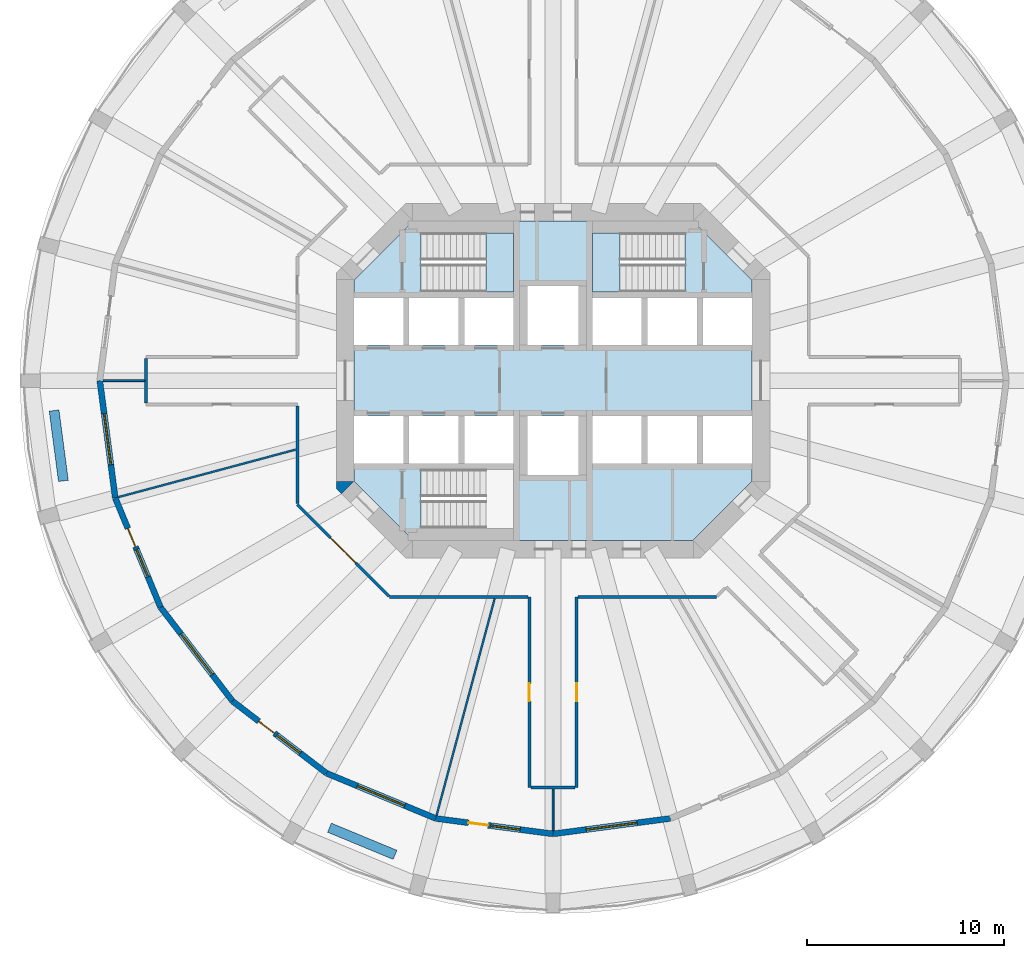
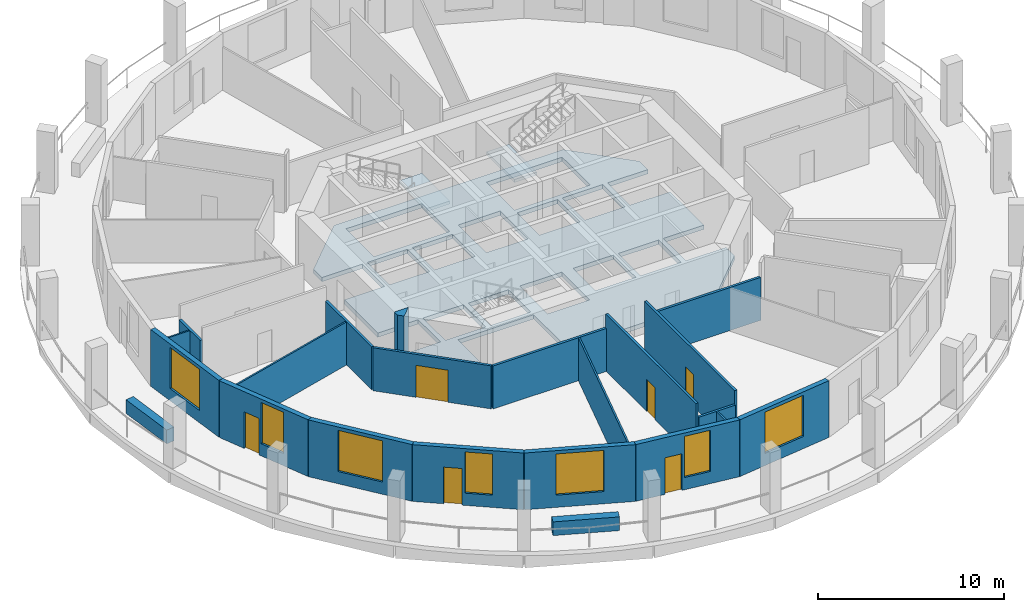
# One storey, part 2 of 9: 22 walls, 7 windows, 6 doors, 3 slabs, 13 openings, 2 elements without a shape of their own.
"""IFC4 building model written with IfcOpenShell, lengths in metres."""

import ifcopenshell
import ifcopenshell.guid

model = None  # the IFC model being written
_history = None  # IfcOwnerHistory: only IFC2X3 demands one
_inside = {}  # id of a spatial element -> (the spatial element, [elements in it])
_under = {}  # id of a project, library or spatial element -> (it, [spatial elements below it])
_declared = {}  # id of a project -> (the project, [libraries it declares])
_typed = {}  # id of a type object -> (the type object, [elements of that type])
_made_of = {}  # id of a material, layer set ... -> (it, [elements and type objects made of it])


def new_model(schema):
    """Start an empty IFC model of exactly this schema.

    Asked for "IFC4X3", IfcOpenShell would pick the latest addendum, in which some entities
    have other attributes; the version numbers below select the first issue.
    IFC2X3 requires an IfcOwnerHistory on every rooted entity: one is made here for all.
    """
    global model, _history
    if schema == "IFC4X3":
        model = ifcopenshell.file(schema_version=(4, 3, 0, 0))
    else:
        model = ifcopenshell.file(schema=schema)
    _inside.clear()
    _under.clear()
    _declared.clear()
    _typed.clear()
    _made_of.clear()
    _history = None
    if model.schema == "IFC2X3":
        org = make("IfcOrganization", Name="unknown")
        user = make(
            "IfcPersonAndOrganization",
            ThePerson=make("IfcPerson", FamilyName="unknown"),
            TheOrganization=org,
        )
        app = make(
            "IfcApplication",
            ApplicationDeveloper=org,
            Version="unknown",
            ApplicationFullName="unknown",
            ApplicationIdentifier="unknown",
        )
        _history = make(
            "IfcOwnerHistory",
            OwningUser=user,
            OwningApplication=app,
            ChangeAction="ADDED",
            CreationDate=0,
        )
    return model


def make(cls, **values):
    """One entity of the class cls with the attributes given. An attribute that is None is left unset."""
    return model.create_entity(
        cls, **{name: value for name, value in values.items() if value is not None}
    )


def rooted(cls, **values):
    """An entity with a GlobalId (a new one), such as an element, a storey or a relation."""
    return make(cls, GlobalId=ifcopenshell.guid.new(), OwnerHistory=_history, **values)


def si_unit(unit_type, name, prefix=None):
    """IfcSIUnit, for example si_unit("LENGTHUNIT", "METRE", prefix="MILLI")."""
    return make("IfcSIUnit", UnitType=unit_type, Prefix=prefix, Name=name)


def assignment(units):
    """IfcUnitAssignment: the units of a project."""
    return None if units is None else make("IfcUnitAssignment", Units=units)


def point(xyz):
    """IfcCartesianPoint."""
    return None if xyz is None else make("IfcCartesianPoint", Coordinates=xyz)


def direction(xyz):
    """IfcDirection."""
    return None if xyz is None else make("IfcDirection", DirectionRatios=xyz)


def frame(location, z_axis=None, x_axis=None):
    """IfcAxis2Placement3D, a coordinate frame: its origin and axes. An axis left out is left unset."""
    return make(
        "IfcAxis2Placement3D",
        Location=point(location),
        Axis=direction(z_axis),
        RefDirection=direction(x_axis),
    )


def frame_2d(location, x_axis=None):
    """IfcAxis2Placement2D, a coordinate frame in the plane: its origin and x axis."""
    return make(
        "IfcAxis2Placement2D", Location=point(location), RefDirection=direction(x_axis)
    )


def origin():
    """The frame at (0, 0, 0) with its axes left unset."""
    return frame((0.0, 0.0, 0.0))


def place(relative_to, where):
    """IfcLocalPlacement: puts the frame where relative to a parent placement (None: the world)."""
    return make(
        "IfcLocalPlacement", PlacementRelTo=relative_to, RelativePlacement=where
    )


def context(
    kind, dimensions, precision=None, world=None, true_north=None, identifier=None
):
    """IfcGeometricRepresentationContext, for example the 3D "Model" context."""
    return make(
        "IfcGeometricRepresentationContext",
        ContextIdentifier=identifier,
        ContextType=kind,
        CoordinateSpaceDimension=dimensions,
        Precision=precision,
        WorldCoordinateSystem=world,
        TrueNorth=true_north,
    )


def subcontext(parent, identifier, kind, view, scale=None):
    """IfcGeometricRepresentationSubContext, for example "Body" below "Model"."""
    return make(
        "IfcGeometricRepresentationSubContext",
        ContextIdentifier=identifier,
        ContextType=kind,
        ParentContext=parent,
        TargetScale=scale,
        TargetView=view,
    )


def project(units=None, contexts=None):
    """IfcProject with its units and contexts."""
    return rooted(
        "IfcProject",
        Name="project",
        RepresentationContexts=contexts,
        UnitsInContext=assignment(units),
    )


def spatial(cls, under=None, at=None, **own):
    """A site, building, storey or space (cls), placed at a placement, below another one or the project."""
    s = rooted(cls, ObjectPlacement=at, **own)
    if under is not None:
        _under.setdefault(under.id(), (under, []))[1].append(s)
    return s


def polyline(points):
    """IfcPolyline through the points."""
    return make("IfcPolyline", Points=[point(p) for p in points])


def profile(cls, at=None, kind="AREA", **sizes):
    """A parametric profile (cls). Its sizes go by their IFC names, for example OverallWidth=200.0."""
    return make(cls, ProfileType=kind, Position=at, **sizes)


def rectangle(**sizes):
    """IfcRectangleProfileDef."""
    return profile("IfcRectangleProfileDef", **sizes)


def outline(outer, holes=None, kind="AREA"):
    """IfcArbitraryClosedProfileDef: a profile drawn as a closed curve; with holes, ...WithVoids."""
    if holes is None:
        return make("IfcArbitraryClosedProfileDef", ProfileType=kind, OuterCurve=outer)
    return make(
        "IfcArbitraryProfileDefWithVoids",
        ProfileType=kind,
        OuterCurve=outer,
        InnerCurves=holes,
    )


def extrude(swept, where, along, depth):
    """IfcExtrudedAreaSolid: the profile swept, set in the frame where, extruded along a direction by depth."""
    return make(
        "IfcExtrudedAreaSolid",
        SweptArea=swept,
        Position=where,
        ExtrudedDirection=direction(along),
        Depth=depth,
    )


def shape(context_of_items, identifier, shape_type, items):
    """IfcShapeRepresentation: the items that make up one representation, for example the "Body"."""
    return make(
        "IfcShapeRepresentation",
        ContextOfItems=context_of_items,
        RepresentationIdentifier=identifier,
        RepresentationType=shape_type,
        Items=items,
    )


def material(Name=None, Category=None):
    """IfcMaterial."""
    return make("IfcMaterial", Name=Name, Category=Category)


def layer(
    of_material, thickness, ventilated=None, Name=None, Category=None, Priority=None
):
    """IfcMaterialLayer: one layer of a wall or slab, of a material (None: an air gap)."""
    return make(
        "IfcMaterialLayer",
        Material=of_material,
        LayerThickness=thickness,
        IsVentilated=ventilated,
        Name=Name,
        Category=Category,
        Priority=Priority,
    )


def layer_set(layers, Name=None):
    """IfcMaterialLayerSet."""
    return make("IfcMaterialLayerSet", MaterialLayers=layers, LayerSetName=Name)


def made_of(thing, what):
    """Note that an element or type object is made of a material, layer set ...; save() writes the relation."""
    if what is not None:
        _made_of.setdefault(what.id(), (what, []))[1].append(thing)
    return thing


def type_object(cls, material=None, **own):
    """A type object (cls), such as IfcWallType, which elements share."""
    return made_of(rooted(cls, **own), material)


def element(
    cls,
    number,
    at=None,
    inside=None,
    cuts=None,
    type_object=None,
    material=None,
    context=None,
    identifier="Body",
    shape_type=None,
    held_by="IfcProductDefinitionShape",
    body=None,
    shapes=None,
    **own,
):
    """One element of the class cls, such as IfcWall. Its Tag is "e" and its number.

    at: its placement. inside: the storey or other place that contains it. cuts: it is an
    opening in that element (IfcRelVoidsElement). A single representation is given by context,
    identifier, shape_type and body (its items); several are given by shapes. held_by: the class
    of the entity that holds the representations. save() writes the other relations.
    """
    e = rooted(cls, Tag="e%d" % number, ObjectPlacement=at, **own)
    if body is not None:
        shapes = [shape(context, identifier, shape_type, body)]
    if shapes is not None:
        e.Representation = make(held_by, Representations=shapes)
    if inside is not None:
        _inside.setdefault(inside.id(), (inside, []))[1].append(e)
    if cuts is not None:
        rooted(
            "IfcRelVoidsElement", RelatingBuildingElement=cuts, RelatedOpeningElement=e
        )
    if type_object is not None:
        _typed.setdefault(type_object.id(), (type_object, []))[1].append(e)
    return made_of(e, material)


def fill(opening, filler):
    """IfcRelFillsElement: the door or window that sits in an opening."""
    return rooted(
        "IfcRelFillsElement",
        RelatingOpeningElement=opening,
        RelatedBuildingElement=filler,
    )


def aggregate(whole, parts):
    """IfcRelAggregates: a whole, such as a stair, and the parts it consists of."""
    return rooted("IfcRelAggregates", RelatingObject=whole, RelatedObjects=parts)


def save(model, path):
    """Write the relations noted so far, then the file.

    IfcRelAggregates (storeys below a building ...), IfcRelContainedInSpatialStructure (elements
    in a storey), IfcRelDefinesByType, IfcRelAssociatesMaterial and IfcRelDeclares: one each for
    every whole, place, type object, material and project.
    """
    for whole, parts in _under.values():
        aggregate(whole, parts)
    for where, things in _inside.values():
        rooted(
            "IfcRelContainedInSpatialStructure",
            RelatedElements=things,
            RelatingStructure=where,
        )
    for kind, things in _typed.values():
        rooted("IfcRelDefinesByType", RelatedObjects=things, RelatingType=kind)
    for what, things in _made_of.values():
        rooted("IfcRelAssociatesMaterial", RelatedObjects=things, RelatingMaterial=what)
    for by, libraries in _declared.values():
        rooted("IfcRelDeclares", RelatingContext=by, RelatedDefinitions=libraries)
    model.write(path)


model = new_model("IFC4")

# Units and contexts
model_context = context("Model", 3, precision=1e-05, world=origin(), true_north=direction((0.0, 1.0)))
body_context = subcontext(model_context, "Body", "Model", "MODEL_VIEW")
ifc_project = project(units=[si_unit("LENGTHUNIT", "METRE"), si_unit("AREAUNIT", "SQUARE_METRE"), si_unit("VOLUMEUNIT", "CUBIC_METRE"), si_unit("PLANEANGLEUNIT", "RADIAN"), si_unit("MASSUNIT", "GRAM", prefix="KILO")], contexts=[model_context])

# Site, building, storey
site_placement = place(None, origin())
site = spatial("IfcSite", under=ifc_project, at=site_placement, CompositionType="ELEMENT")
building_placement = place(site_placement, origin())
building = spatial("IfcBuilding", under=site, at=building_placement, Name="Torre Triforio", CompositionType="ELEMENT")
storey_placement = place(building_placement, frame((0.0, 0.0, 31.0)))
storey = spatial("IfcBuildingStorey", under=building, at=storey_placement, Name="L05", CompositionType="ELEMENT", Elevation=31.0)

# Slab
ifc_material_1 = material(Name="Concrete C60", Category="concrete")
ifc_layer_1 = layer(ifc_material_1, 0.280029296875)
ifc_layer_set_1 = layer_set([ifc_layer_1], Name="Concrete C60")
slab_type_1 = type_object("IfcSlabType", Name="Core floor slab 280 mm C60 REI 120", PredefinedType="FLOOR", material=ifc_layer_set_1)
slab_1_placement = place(storey_placement, frame((0.0, 0.0, -0.280029296875)))
element("IfcSlab", 1, at=slab_1_placement, inside=storey, type_object=slab_type_1, Name="Core floor slab", PredefinedType="FLOOR", context=body_context, shape_type="SweptSolid", body=[
    extrude(outline(polyline([(10.10009765625, -5.10009765625), (7.10009765625, -8.10009765625), (-7.10009765625, -8.10009765625), (-10.10009765625, -5.10009765625), (-10.10009765625, -4.199951171875), (-7.60009765625, -4.199951171875), (-7.60009765625, -1.800048828125), (-10.10009765625, -1.800048828125), (-10.10009765625, 1.800048828125), (-7.60009765625, 1.800048828125), (-7.60009765625, 4.199951171875), (-10.10009765625, 4.199951171875), (-10.10009765625, 5.10009765625), (-7.10009765625, 8.10009765625), (7.10009765625, 8.10009765625), (10.10009765625, 5.10009765625), (10.10009765625, 4.199951171875), (7.60009765625, 4.199951171875), (7.60009765625, 1.800048828125), (10.10009765625, 1.800048828125), (10.10009765625, -1.800048828125), (7.60009765625, -1.800048828125), (7.60009765625, -4.199951171875), (10.10009765625, -4.199951171875), (10.10009765625, -5.10009765625)]), holes=[polyline([(-2.0, -4.5), (-6.696044921875, -4.5), (-6.696044921875, -7.5), (-2.0, -7.5), (-2.0, -4.5)]), polyline([(-4.800048828125, -1.800048828125), (-7.300048828125, -1.800048828125), (-7.300048828125, -4.199951171875), (-4.800048828125, -4.199951171875), (-4.800048828125, -1.800048828125)]), polyline([(-2.0, -1.800048828125), (-4.5, -1.800048828125), (-4.5, -4.199951171875), (-2.0, -4.199951171875), (-2.0, -1.800048828125)]), polyline([(-4.800048828125, 4.199951171875), (-7.300048828125, 4.199951171875), (-7.300048828125, 1.800048828125), (-4.800048828125, 1.800048828125), (-4.800048828125, 4.199951171875)]), polyline([(-2.0, 4.199951171875), (-4.5, 4.199951171875), (-4.5, 1.800048828125), (-2.0, 1.800048828125), (-2.0, 4.199951171875)]), polyline([(1.300048828125, 4.800048828125), (-1.300048828125, 4.800048828125), (-1.300048828125, 1.800048828125), (1.300048828125, 1.800048828125), (1.300048828125, 4.800048828125)]), polyline([(-2.0, 7.5), (-6.696044921875, 7.5), (-6.696044921875, 4.5), (-2.0, 4.5), (-2.0, 7.5)]), polyline([(1.300048828125, -1.800048828125), (-1.300048828125, -1.800048828125), (-1.300048828125, -4.800048828125), (1.300048828125, -4.800048828125), (1.300048828125, -1.800048828125)]), polyline([(4.5, -1.800048828125), (2.0, -1.800048828125), (2.0, -4.199951171875), (4.5, -4.199951171875), (4.5, -1.800048828125)]), polyline([(7.300048828125, -1.800048828125), (4.800048828125, -1.800048828125), (4.800048828125, -4.199951171875), (7.300048828125, -4.199951171875), (7.300048828125, -1.800048828125)]), polyline([(4.5, 4.199951171875), (2.0, 4.199951171875), (2.0, 1.800048828125), (4.5, 1.800048828125), (4.5, 4.199951171875)]), polyline([(7.300048828125, 4.199951171875), (4.800048828125, 4.199951171875), (4.800048828125, 1.800048828125), (7.300048828125, 1.800048828125), (7.300048828125, 4.199951171875)]), polyline([(6.696044921875, 4.5), (6.696044921875, 7.5), (2.0, 7.5), (2.0, 4.5), (6.696044921875, 4.5)])]), origin(), (0.0, 0.0, 1.0), 0.280029296875),
])

# Stair, slab
ifc_material_2 = material(Name="Concrete C40", Category="concrete")
stair_type = type_object("IfcStairType", Name="STAIR HALF-TURN", PredefinedType="HALF_TURN_STAIR", material=ifc_material_2)
stair_1_placement = place(storey_placement, origin())
stair_1 = element("IfcStair", 2, at=stair_1_placement, inside=storey, type_object=stair_type, Name="Exit stair 1", PredefinedType="HALF_TURN_STAIR")
ifc_layer_2 = layer(ifc_material_2, 0.199951171875)
ifc_layer_set_2 = layer_set([ifc_layer_2], Name="Concrete C40")
slab_type_2 = type_object("IfcSlabType", Name="STAIR LANDING 200", PredefinedType="LANDING", material=ifc_layer_set_2)
slab_2_placement = place(storey_placement, frame((0.0, 0.0, 1.800048828125)))
slab_2 = element("IfcSlab", 3, at=slab_2_placement, type_object=slab_type_2, Name="ST1 landing 1", PredefinedType="LANDING", context=body_context, shape_type="SweptSolid", body=[
    extrude(outline(polyline([(-2.0, 4.5), (-2.0, 7.5), (-3.39990234375, 7.5), (-3.39990234375, 4.5), (-2.0, 4.5)])), origin(), (0.0, 0.0, 1.0), 0.199951171875),
])
aggregate(stair_1, [slab_2])

stair_2_placement = place(storey_placement, origin())
stair_2 = element("IfcStair", 4, at=stair_2_placement, inside=storey, type_object=stair_type, Name="Exit stair 2", PredefinedType="HALF_TURN_STAIR")
slab_3_placement = place(storey_placement, frame((0.0, 0.0, 1.800048828125)))
slab_3 = element("IfcSlab", 5, at=slab_3_placement, type_object=slab_type_2, Name="ST2 landing 1", PredefinedType="LANDING", context=body_context, shape_type="SweptSolid", body=[
    extrude(outline(polyline([(3.39990234375, 4.5), (3.39990234375, 7.5), (2.0, 7.5), (2.0, 4.5), (3.39990234375, 4.5)])), origin(), (0.0, 0.0, 1.0), 0.199951171875),
])
aggregate(stair_2, [slab_3])

# Walls
ifc_layer_3 = layer(ifc_material_1, 0.89990234375)
ifc_layer_set_3 = layer_set([ifc_layer_3], Name="Concrete C60")
wall_type_1 = type_object("IfcWallType", Name="Core wall 900 mm C60 EI 120", PredefinedType="SHEAR", material=ifc_layer_set_3)
wall_1_placement = place(storey_placement, frame((0.0, 0.0, -0.280029296875)))
element("IfcWall", 6, at=wall_1_placement, inside=storey, type_object=wall_type_1, Name="Core wall", PredefinedType="SHEAR", context=body_context, shape_type="SweptSolid", body=[
    extrude(outline(polyline([(-11.0, -5.472900390625), (-11.0, -5.1298828125), (-10.1298828125, -5.1298828125), (-10.736328125, -5.736328125), (-11.0, -5.472900390625)])), origin(), (0.0, 0.0, 1.0), 4.0),
])
ifc_material_3 = material(Name="Plasterboard on metal studs")
ifc_layer_4 = layer(ifc_material_3, 0.14990234375)
ifc_layer_set_4 = layer_set([ifc_layer_4], Name="Plasterboard on metal studs")
wall_type_2 = type_object("IfcWallType", Name="Corridor and tenancy wall 150 mm EI 60", PredefinedType="PARTITIONING", material=ifc_layer_set_4)
wall_2_placement = place(storey_placement, frame((8.291015625, -10.97509765625, 0.0), z_axis=(0.0, 0.0, 1.0), x_axis=(-1.0, 0.0, 0.0)))
element("IfcWall", 7, at=wall_2_placement, inside=storey, type_object=wall_type_2, Name="Partition 5", PredefinedType="PARTITIONING", context=body_context, shape_type="SweptSolid", body=[
    extrude(rectangle(XDim=7.01611328125, YDim=0.14990234375, at=frame_2d((3.508056640625, 0.0))), origin(), (0.0, 0.0, 1.0), 2.820068359375),
])

# Wall, opening, door
wall_3_placement = place(storey_placement, frame((1.199951171875, -10.97509765625, 0.0), z_axis=(0.0, 0.0, 1.0), x_axis=(0.0, -1.0, 0.0)))
wall_3 = element("IfcWall", 8, at=wall_3_placement, inside=storey, type_object=wall_type_2, Name="Partition 6", PredefinedType="PARTITIONING", context=body_context, shape_type="SweptSolid", body=[
    extrude(rectangle(XDim=9.673583984375, YDim=0.14990234375, at=frame_2d((4.8369140625, 0.0))), origin(), (0.0, 0.0, 1.0), 3.719970703125),
])
opening_1_placement = place(wall_3_placement, frame((4.386962890625, 0.0, 0.0)))
opening_1 = element("IfcOpeningElement", 9, at=opening_1_placement, cuts=wall_3, Name="Opening N1-11", PredefinedType="OPENING", context=body_context, shape_type="SweptSolid", body=[
    extrude(rectangle(XDim=0.89990234375, YDim=2.10009765625, at=frame_2d((0.449951171875, 1.050048828125))), frame((0.0, 0.0849609375, 0.0), z_axis=(0.0, -1.0, 0.0), x_axis=(1.0, 0.0, 0.0)), (0.0, 0.0, 1.0), 0.169921875),
])
ifc_material_4 = material(Name="Timber", Category="wood")
door_type_1 = type_object("IfcDoorType", Name="Door 900 x 2100 single leaf EI 30", OperationType="NOTDEFINED", PredefinedType="DOOR", material=ifc_material_4)
door_1_placement = place(opening_1_placement, origin())
door_1 = element("IfcDoor", 10, at=door_1_placement, inside=storey, type_object=door_type_1, Name="Door N1-11", OperationType="SINGLE_SWING_RIGHT", OverallHeight=2.10009765625, OverallWidth=0.89990234375, PredefinedType="DOOR", context=body_context, shape_type="SweptSolid", body=[
    extrude(rectangle(XDim=0.89990234375, YDim=2.10009765625, at=frame_2d((0.449951171875, 1.050048828125))), frame((0.0, 0.02490234375, 0.0), z_axis=(0.0, -1.0, 0.0), x_axis=(1.0, 0.0, 0.0)), (0.0, 0.0, 1.0), 0.050048828125),
])
fill(opening_1, door_1)

# Wall
wall_4_placement = place(storey_placement, frame((1.125, -20.648681640625, 0.0), z_axis=(0.0, 0.0, 1.0), x_axis=(-1.0, 0.0, 0.0)))
element("IfcWall", 11, at=wall_4_placement, inside=storey, type_object=wall_type_2, Name="Partition 7", PredefinedType="PARTITIONING", context=body_context, shape_type="SweptSolid", body=[
    extrude(rectangle(XDim=2.25, YDim=0.14990234375, at=frame_2d((1.125, 0.0))), origin(), (0.0, 0.0, 1.0), 2.820068359375),
])

# Wall, opening, door
wall_5_placement = place(storey_placement, frame((-1.199951171875, -20.648681640625, 0.0), z_axis=(0.0, 0.0, 1.0), x_axis=(0.0, 1.0, 0.0)))
wall_5 = element("IfcWall", 12, at=wall_5_placement, inside=storey, type_object=wall_type_2, Name="Partition 8", PredefinedType="PARTITIONING", context=body_context, shape_type="SweptSolid", body=[
    extrude(rectangle(XDim=9.673583984375, YDim=0.14990234375, at=frame_2d((4.8369140625, 0.0))), origin(), (0.0, 0.0, 1.0), 3.719970703125),
])
opening_2_placement = place(wall_5_placement, frame((4.386962890625, 0.0, 0.0)))
opening_2 = element("IfcOpeningElement", 13, at=opening_2_placement, cuts=wall_5, Name="Opening N1-10", PredefinedType="OPENING", context=body_context, shape_type="SweptSolid", body=[
    extrude(rectangle(XDim=0.89990234375, YDim=2.10009765625, at=frame_2d((0.449951171875, 1.050048828125))), frame((0.0, 0.0849609375, 0.0), z_axis=(0.0, -1.0, 0.0), x_axis=(1.0, 0.0, 0.0)), (0.0, 0.0, 1.0), 0.169921875),
])
door_2_placement = place(opening_2_placement, origin())
door_2 = element("IfcDoor", 14, at=door_2_placement, inside=storey, type_object=door_type_1, Name="Door N1-10", OperationType="SINGLE_SWING_RIGHT", OverallHeight=2.10009765625, OverallWidth=0.89990234375, PredefinedType="DOOR", context=body_context, shape_type="SweptSolid", body=[
    extrude(rectangle(XDim=0.89990234375, YDim=2.10009765625, at=frame_2d((0.449951171875, 1.050048828125))), frame((0.0, 0.02490234375, 0.0), z_axis=(0.0, -1.0, 0.0), x_axis=(1.0, 0.0, 0.0)), (0.0, 0.0, 1.0), 0.050048828125),
])
fill(opening_2, door_2)

# Wall
wall_6_placement = place(storey_placement, frame((-1.27490234375, -10.97509765625, 0.0), z_axis=(0.0, 0.0, 1.0), x_axis=(-1.0, 0.0, 0.0)))
element("IfcWall", 15, at=wall_6_placement, inside=storey, type_object=wall_type_2, Name="Partition 9", PredefinedType="PARTITIONING", context=body_context, shape_type="SweptSolid", body=[
    extrude(rectangle(XDim=7.01611328125, YDim=0.14990234375, at=frame_2d((3.508056640625, 0.0))), origin(), (0.0, 0.0, 1.0), 2.820068359375),
])

# Wall, opening, door
wall_7_placement = place(storey_placement, frame((-8.327880859375, -10.93798828125, 0.0), z_axis=(0.0, 0.0, 1.0), x_axis=(-0.707125355289, 0.707088206597, 0.0)))
wall_7 = element("IfcWall", 16, at=wall_7_placement, inside=storey, type_object=wall_type_2, Name="Partition 10", PredefinedType="PARTITIONING", context=body_context, shape_type="SweptSolid", body=[
    extrude(rectangle(XDim=6.572021484375, YDim=0.14990234375, at=frame_2d((3.2861328125, 0.0))), origin(), (0.0, 0.0, 1.0), 2.820068359375),
])
opening_3_placement = place(wall_7_placement, frame((2.385986328125, 0.0, 0.0)))
opening_3 = element("IfcOpeningElement", 17, at=opening_3_placement, cuts=wall_7, Name="Opening N1-09", PredefinedType="OPENING", context=body_context, shape_type="SweptSolid", body=[
    extrude(rectangle(XDim=1.800048828125, YDim=2.10009765625, at=frame_2d((0.89990234375, 1.050048828125))), frame((0.0, 0.0849609375, 0.0), z_axis=(0.0, -1.0, 0.0), x_axis=(1.0, 0.0, 0.0)), (0.0, 0.0, 1.0), 0.169921875),
])
door_type_2 = type_object("IfcDoorType", Name="Door 1800 x 2100 double leaf EI 30", OperationType="DOUBLE_DOOR_SINGLE_SWING", PredefinedType="DOOR", material=ifc_material_4)
door_3_placement = place(opening_3_placement, origin())
door_3 = element("IfcDoor", 18, at=door_3_placement, inside=storey, type_object=door_type_2, Name="Door N1-09", OperationType="DOUBLE_DOOR_SINGLE_SWING", OverallHeight=2.10009765625, OverallWidth=1.800048828125, PredefinedType="DOOR", context=body_context, shape_type="SweptSolid", body=[
    extrude(rectangle(XDim=1.800048828125, YDim=2.10009765625, at=frame_2d((0.89990234375, 1.050048828125))), frame((0.0, 0.02490234375, 0.0), z_axis=(0.0, -1.0, 0.0), x_axis=(1.0, 0.0, 0.0)), (0.0, 0.0, 1.0), 0.050048828125),
])
fill(opening_3, door_3)

# Walls
wall_8_placement = place(storey_placement, frame((-12.97509765625, -6.23828125, 0.0), z_axis=(0.0, 0.0, 1.0), x_axis=(0.0, 1.0, 0.0)))
element("IfcWall", 19, at=wall_8_placement, inside=storey, type_object=wall_type_2, Name="Partition 11", PredefinedType="PARTITIONING", context=body_context, shape_type="SweptSolid", body=[
    extrude(rectangle(XDim=4.96337890625, YDim=0.14990234375, at=frame_2d((2.481689453125, 0.0))), origin(), (0.0, 0.0, 1.0), 2.820068359375),
])
wall_9_placement = place(storey_placement, frame((-20.648681640625, -1.125, 0.0), z_axis=(0.0, 0.0, 1.0), x_axis=(0.0, 1.0, 0.0)))
element("IfcWall", 20, at=wall_9_placement, inside=storey, type_object=wall_type_2, Name="Partition 13", PredefinedType="PARTITIONING", context=body_context, shape_type="SweptSolid", body=[
    extrude(rectangle(XDim=2.25, YDim=0.14990234375, at=frame_2d((1.125, 0.0))), origin(), (0.0, 0.0, 1.0), 2.820068359375),
])
ifc_layer_5 = layer(ifc_material_3, 0.10009765625)
ifc_layer_set_5 = layer_set([ifc_layer_5], Name="Plasterboard on metal studs")
wall_type_3 = type_object("IfcWallType", Name="Partition 100 mm board on metal studs", PredefinedType="PARTITIONING", material=ifc_layer_set_5)
wall_10_placement = place(storey_placement, frame((-20.7236328125, 0.0, 0.0), z_axis=(0.0, 0.0, 1.0), x_axis=(-1.0, 0.0, 0.0)))
element("IfcWall", 21, at=wall_10_placement, inside=storey, type_object=wall_type_3, Name="Partition 42", PredefinedType="PARTITIONING", context=body_context, shape_type="SweptSolid", body=[
    extrude(rectangle(XDim=2.113037109375, YDim=0.10009765625, at=frame_2d((1.056640625, 0.0))), origin(), (0.0, 0.0, 1.0), 2.820068359375),
])
wall_11_placement = place(storey_placement, frame((-13.064208984375, -3.50048828125, 0.0), z_axis=(0.0, 0.0, 1.0), x_axis=(-0.965922655056, -0.258830880017, 0.0)))
element("IfcWall", 22, at=wall_11_placement, inside=storey, type_object=wall_type_3, Name="Partition 43", PredefinedType="PARTITIONING", context=body_context, shape_type="SweptSolid", body=[
    extrude(rectangle(XDim=9.311767578125, YDim=0.10009765625, at=frame_2d((4.65576171875, 0.0))), origin(), (0.0, 0.0, 1.0), 2.820068359375),
])
wall_12_placement = place(storey_placement, frame((-2.964599609375, -11.064208984375, 0.0), z_axis=(0.0, 0.0, 1.0), x_axis=(-0.258827930947, -0.965923445291, 0.0)))
element("IfcWall", 23, at=wall_12_placement, inside=storey, type_object=wall_type_3, Name="Partition 44", PredefinedType="PARTITIONING", context=body_context, shape_type="SweptSolid", body=[
    extrude(rectangle(XDim=11.38232421875, YDim=0.10009765625, at=frame_2d((5.691162109375, 0.0))), origin(), (0.0, 0.0, 1.0), 2.820068359375),
])
wall_13_placement = place(storey_placement, frame((0.0, -20.7236328125, 0.0), z_axis=(0.0, 0.0, 1.0), x_axis=(0.0, -1.0, 0.0)))
element("IfcWall", 24, at=wall_13_placement, inside=storey, type_object=wall_type_3, Name="Partition 45", PredefinedType="PARTITIONING", context=body_context, shape_type="SweptSolid", body=[
    extrude(rectangle(XDim=2.113037109375, YDim=0.10009765625, at=frame_2d((1.056640625, 0.0))), origin(), (0.0, 0.0, 1.0), 2.820068359375),
])
ifc_material_5 = material(Name="Limestone cladding", Category="masonry")
ifc_layer_6 = layer(ifc_material_5, 0.10009765625)
ifc_layer_7 = layer(ifc_material_2, 0.39990234375)
ifc_layer_set_6 = layer_set([ifc_layer_6, ifc_layer_7], Name="Limestone cladding / Concrete C40")
wall_type_4 = type_object("IfcWallType", Name="Planter wall 500", PredefinedType="PARAPET", material=ifc_layer_set_6)
for number, where, z_axis, x_axis, name in (
    (25, (-25.318603515625, -1.517578125, 0.0), (0.0, 0.0, 1.0), (0.130542222659, -0.991442750795, 0.0), "Planter L05 bay 13"),
    (26, (-11.344970703125, -22.685302734375, 0.0), (0.0, 0.0, 1.0), (0.923885420167, -0.382669217998, 0.0), "Planter L05 bay 17"),
):
    element("IfcWall", number, at=place(storey_placement, frame(where, z_axis=z_axis, x_axis=x_axis)), inside=storey, type_object=wall_type_4, Name=name, PredefinedType="PARAPET", context=body_context, shape_type="SweptSolid", body=[
        extrude(rectangle(XDim=3.60009765625, YDim=0.5, at=frame_2d((1.800048828125, 0.0))), origin(), (0.0, 0.0, 1.0), 0.89990234375),
    ])

# Wall, opening, window
ifc_layer_8 = layer(ifc_material_5, 0.10009765625)
ifc_layer_9 = layer(ifc_material_2, 0.199951171875)
ifc_layer_set_7 = layer_set([ifc_layer_8, ifc_layer_9], Name="Limestone cladding / Concrete C40")
wall_type_5 = type_object("IfcWallType", Name="Stone-faced composite wall 300", PredefinedType="STANDARD", material=ifc_layer_set_7)
wall_14_placement = place(storey_placement, frame((-23.0, 0.0, 0.0), z_axis=(0.0, 0.0, 1.0), x_axis=(0.130522880875, -0.991445297315, 0.0)))
wall_14 = element("IfcWall", 27, at=wall_14_placement, inside=storey, type_object=wall_type_5, Name="External wall L05 bay 13", PredefinedType="STANDARD", context=body_context, shape_type="SweptSolid", body=[
    extrude(rectangle(XDim=6.004150390625, YDim=0.300048828125, at=frame_2d((3.001953125, 0.0))), origin(), (0.0, 0.0, 1.0), 3.719970703125),
])
opening_4_placement = place(wall_14_placement, frame((1.7021484375, 0.0, 0.800048828125)))
opening_4 = element("IfcOpeningElement", 28, at=opening_4_placement, cuts=wall_14, Name="Opening N1-W13", PredefinedType="OPENING", context=body_context, shape_type="SweptSolid", body=[
    extrude(rectangle(XDim=2.60009765625, YDim=2.699951171875, at=frame_2d((1.300048828125, 1.35009765625))), frame((0.0, 0.159912109375, 0.0), z_axis=(0.0, -1.0, 0.0), x_axis=(1.0, 0.0, 0.0)), (0.0, 0.0, 1.0), 0.320068359375),
])
ifc_material_6 = material(Name="Aluminium frame with clear double glazing", Category="aluminium")
window_type_1 = type_object("IfcWindowType", Name="Punched window 2600 x 2700", PartitioningType="DOUBLE_PANEL_VERTICAL", PredefinedType="WINDOW", material=ifc_material_6)
window_1_placement = place(opening_4_placement, origin())
window_1 = element("IfcWindow", 29, at=window_1_placement, inside=storey, type_object=window_type_1, Name="Window EWN2 L05 bay 13", OverallHeight=2.699951171875, OverallWidth=2.60009765625, PartitioningType="SINGLE_PANEL", PredefinedType="WINDOW", context=body_context, shape_type="SweptSolid", body=[
    extrude(rectangle(XDim=2.60009765625, YDim=2.699951171875, at=frame_2d((1.300048828125, 1.35009765625))), frame((0.0, 0.030029296875, 0.0), z_axis=(0.0, -1.0, 0.0), x_axis=(1.0, 0.0, 0.0)), (0.0, 0.0, 1.0), 0.06005859375),
])
fill(opening_4, window_1)

# Wall, openings, door, window
wall_15_placement = place(storey_placement, frame((-22.21630859375, -5.952880859375, 0.0), z_axis=(0.0, 0.0, 1.0), x_axis=(0.382671411433, -0.923884511653, 0.0)))
wall_15 = element("IfcWall", 30, at=wall_15_placement, inside=storey, type_object=wall_type_5, Name="External wall L05 bay 14", PredefinedType="STANDARD", context=body_context, shape_type="SweptSolid", body=[
    extrude(rectangle(XDim=6.004150390625, YDim=0.300048828125, at=frame_2d((3.001953125, 0.0))), origin(), (0.0, 0.0, 1.0), 3.719970703125),
])
opening_5_placement = place(wall_15_placement, frame((1.677001953125, 0.0, 0.0)))
opening_5 = element("IfcOpeningElement", 31, at=opening_5_placement, cuts=wall_15, Name="Opening N1-D14", PredefinedType="OPENING", context=body_context, shape_type="SweptSolid", body=[
    extrude(rectangle(XDim=1.0, YDim=2.39990234375, at=frame_2d((0.5, 1.199951171875))), frame((0.0, 0.159912109375, 0.0), z_axis=(0.0, -1.0, 0.0), x_axis=(1.0, 0.0, 0.0)), (0.0, 0.0, 1.0), 0.320068359375),
])
opening_6_placement = place(wall_15_placement, frame((2.8271484375, 0.0, 0.800048828125)))
opening_6 = element("IfcOpeningElement", 32, at=opening_6_placement, cuts=wall_15, Name="Opening N1-W14A", PredefinedType="OPENING", context=body_context, shape_type="SweptSolid", body=[
    extrude(rectangle(XDim=1.5, YDim=2.699951171875, at=frame_2d((0.75, 1.35009765625))), frame((0.0, 0.159912109375, 0.0), z_axis=(0.0, -1.0, 0.0), x_axis=(1.0, 0.0, 0.0)), (0.0, 0.0, 1.0), 0.320068359375),
])
door_type_3 = type_object("IfcDoorType", Name="Loggia door 1000 x 2400", OperationType="NOTDEFINED", PredefinedType="DOOR", material=ifc_material_6)
door_4_placement = place(opening_5_placement, origin())
door_4 = element("IfcDoor", 33, at=door_4_placement, inside=storey, type_object=door_type_3, Name="Loggia door L05 bay 14", OperationType="SINGLE_SWING_LEFT", OverallHeight=2.39990234375, OverallWidth=1.0, PredefinedType="DOOR", context=body_context, shape_type="SweptSolid", body=[
    extrude(rectangle(XDim=1.0, YDim=2.39990234375, at=frame_2d((0.5, 1.199951171875))), frame((0.0, 0.02490234375, 0.0), z_axis=(0.0, -1.0, 0.0), x_axis=(1.0, 0.0, 0.0)), (0.0, 0.0, 1.0), 0.050048828125),
])
fill(opening_5, door_4)
window_type_2 = type_object("IfcWindowType", Name="Side window 1500 x 2700", PartitioningType="SINGLE_PANEL", PredefinedType="WINDOW", material=ifc_material_6)
window_2_placement = place(opening_6_placement, origin())
window_2 = element("IfcWindow", 34, at=window_2_placement, inside=storey, type_object=window_type_2, Name="Side window EWN12 L05 bay 14", OverallHeight=2.699951171875, OverallWidth=1.5, PartitioningType="SINGLE_PANEL", PredefinedType="WINDOW", context=body_context, shape_type="SweptSolid", body=[
    extrude(rectangle(XDim=1.5, YDim=2.699951171875, at=frame_2d((0.75, 1.35009765625))), frame((0.0, 0.030029296875, 0.0), z_axis=(0.0, -1.0, 0.0), x_axis=(1.0, 0.0, 0.0)), (0.0, 0.0, 1.0), 0.06005859375),
])
fill(opening_6, window_2)

# Wall, opening, window
wall_16_placement = place(storey_placement, frame((-19.918701171875, -11.5, 0.0), z_axis=(0.0, 0.0, 1.0), x_axis=(0.608778912074, -0.793339924758, 0.0)))
wall_16 = element("IfcWall", 35, at=wall_16_placement, inside=storey, type_object=wall_type_5, Name="External wall L05 bay 15", PredefinedType="STANDARD", context=body_context, shape_type="SweptSolid", body=[
    extrude(rectangle(XDim=6.004150390625, YDim=0.300048828125, at=frame_2d((3.001953125, 0.0))), origin(), (0.0, 0.0, 1.0), 3.719970703125),
])
opening_7_placement = place(wall_16_placement, frame((1.7021484375, 0.0, 0.800048828125)))
opening_7 = element("IfcOpeningElement", 36, at=opening_7_placement, cuts=wall_16, Name="Opening N1-W15", PredefinedType="OPENING", context=body_context, shape_type="SweptSolid", body=[
    extrude(rectangle(XDim=2.60009765625, YDim=2.699951171875, at=frame_2d((1.300048828125, 1.35009765625))), frame((0.0, 0.159912109375, 0.0), z_axis=(0.0, -1.0, 0.0), x_axis=(1.0, 0.0, 0.0)), (0.0, 0.0, 1.0), 0.320068359375),
])
window_3_placement = place(opening_7_placement, origin())
window_3 = element("IfcWindow", 37, at=window_3_placement, inside=storey, type_object=window_type_1, Name="Window EWN2 L05 bay 15", OverallHeight=2.699951171875, OverallWidth=2.60009765625, PartitioningType="SINGLE_PANEL", PredefinedType="WINDOW", context=body_context, shape_type="SweptSolid", body=[
    extrude(rectangle(XDim=2.60009765625, YDim=2.699951171875, at=frame_2d((1.300048828125, 1.35009765625))), frame((0.0, 0.030029296875, 0.0), z_axis=(0.0, -1.0, 0.0), x_axis=(1.0, 0.0, 0.0)), (0.0, 0.0, 1.0), 0.06005859375),
])
fill(opening_7, window_3)

# Wall, openings, door, window
wall_17_placement = place(storey_placement, frame((-16.263427734375, -16.263427734375, 0.0), z_axis=(0.0, 0.0, 1.0), x_axis=(0.793339924758, -0.608778912074, 0.0)))
wall_17 = element("IfcWall", 38, at=wall_17_placement, inside=storey, type_object=wall_type_5, Name="External wall L05 bay 16", PredefinedType="STANDARD", context=body_context, shape_type="SweptSolid", body=[
    extrude(rectangle(XDim=6.004150390625, YDim=0.300048828125, at=frame_2d((3.001953125, 0.0))), origin(), (0.0, 0.0, 1.0), 3.719970703125),
])
opening_8_placement = place(wall_17_placement, frame((1.677001953125, 0.0, 0.0)))
opening_8 = element("IfcOpeningElement", 39, at=opening_8_placement, cuts=wall_17, Name="Opening N1-D16", PredefinedType="OPENING", context=body_context, shape_type="SweptSolid", body=[
    extrude(rectangle(XDim=1.0, YDim=2.39990234375, at=frame_2d((0.5, 1.199951171875))), frame((0.0, 0.159912109375, 0.0), z_axis=(0.0, -1.0, 0.0), x_axis=(1.0, 0.0, 0.0)), (0.0, 0.0, 1.0), 0.320068359375),
])
opening_9_placement = place(wall_17_placement, frame((2.8271484375, 0.0, 0.800048828125)))
opening_9 = element("IfcOpeningElement", 40, at=opening_9_placement, cuts=wall_17, Name="Opening N1-W16A", PredefinedType="OPENING", context=body_context, shape_type="SweptSolid", body=[
    extrude(rectangle(XDim=1.5, YDim=2.699951171875, at=frame_2d((0.75, 1.35009765625))), frame((0.0, 0.159912109375, 0.0), z_axis=(0.0, -1.0, 0.0), x_axis=(1.0, 0.0, 0.0)), (0.0, 0.0, 1.0), 0.320068359375),
])
door_5_placement = place(opening_8_placement, origin())
door_5 = element("IfcDoor", 41, at=door_5_placement, inside=storey, type_object=door_type_3, Name="Loggia door L05 bay 16", OperationType="SINGLE_SWING_LEFT", OverallHeight=2.39990234375, OverallWidth=1.0, PredefinedType="DOOR", context=body_context, shape_type="SweptSolid", body=[
    extrude(rectangle(XDim=1.0, YDim=2.39990234375, at=frame_2d((0.5, 1.199951171875))), frame((0.0, 0.02490234375, 0.0), z_axis=(0.0, -1.0, 0.0), x_axis=(1.0, 0.0, 0.0)), (0.0, 0.0, 1.0), 0.050048828125),
])
fill(opening_8, door_5)
window_4_placement = place(opening_9_placement, origin())
window_4 = element("IfcWindow", 42, at=window_4_placement, inside=storey, type_object=window_type_2, Name="Side window EWN12 L05 bay 16", OverallHeight=2.699951171875, OverallWidth=1.5, PartitioningType="SINGLE_PANEL", PredefinedType="WINDOW", context=body_context, shape_type="SweptSolid", body=[
    extrude(rectangle(XDim=1.5, YDim=2.699951171875, at=frame_2d((0.75, 1.35009765625))), frame((0.0, 0.030029296875, 0.0), z_axis=(0.0, -1.0, 0.0), x_axis=(1.0, 0.0, 0.0)), (0.0, 0.0, 1.0), 0.06005859375),
])
fill(opening_9, window_4)

# Wall, opening, window
wall_18_placement = place(storey_placement, frame((-11.5, -19.918701171875, 0.0), z_axis=(0.0, 0.0, 1.0), x_axis=(0.923884511653, -0.382671411433, 0.0)))
wall_18 = element("IfcWall", 43, at=wall_18_placement, inside=storey, type_object=wall_type_5, Name="External wall L05 bay 17", PredefinedType="STANDARD", context=body_context, shape_type="SweptSolid", body=[
    extrude(rectangle(XDim=6.004150390625, YDim=0.300048828125, at=frame_2d((3.001953125, 0.0))), origin(), (0.0, 0.0, 1.0), 3.719970703125),
])
opening_10_placement = place(wall_18_placement, frame((1.7021484375, 0.0, 0.800048828125)))
opening_10 = element("IfcOpeningElement", 44, at=opening_10_placement, cuts=wall_18, Name="Opening N1-W17", PredefinedType="OPENING", context=body_context, shape_type="SweptSolid", body=[
    extrude(rectangle(XDim=2.60009765625, YDim=2.699951171875, at=frame_2d((1.300048828125, 1.35009765625))), frame((0.0, 0.159912109375, 0.0), z_axis=(0.0, -1.0, 0.0), x_axis=(1.0, 0.0, 0.0)), (0.0, 0.0, 1.0), 0.320068359375),
])
window_5_placement = place(opening_10_placement, origin())
window_5 = element("IfcWindow", 45, at=window_5_placement, inside=storey, type_object=window_type_1, Name="Window EWN2 L05 bay 17", OverallHeight=2.699951171875, OverallWidth=2.60009765625, PartitioningType="SINGLE_PANEL", PredefinedType="WINDOW", context=body_context, shape_type="SweptSolid", body=[
    extrude(rectangle(XDim=2.60009765625, YDim=2.699951171875, at=frame_2d((1.300048828125, 1.35009765625))), frame((0.0, 0.030029296875, 0.0), z_axis=(0.0, -1.0, 0.0), x_axis=(1.0, 0.0, 0.0)), (0.0, 0.0, 1.0), 0.06005859375),
])
fill(opening_10, window_5)

# Wall, openings, door, window
wall_19_placement = place(storey_placement, frame((-5.952880859375, -22.21630859375, 0.0), z_axis=(0.0, 0.0, 1.0), x_axis=(0.991445297315, -0.130522880875, 0.0)))
wall_19 = element("IfcWall", 46, at=wall_19_placement, inside=storey, type_object=wall_type_5, Name="External wall L05 bay 18", PredefinedType="STANDARD", context=body_context, shape_type="SweptSolid", body=[
    extrude(rectangle(XDim=6.004150390625, YDim=0.300048828125, at=frame_2d((3.001953125, 0.0))), origin(), (0.0, 0.0, 1.0), 3.719970703125),
])
opening_11_placement = place(wall_19_placement, frame((1.677001953125, 0.0, 0.0)))
opening_11 = element("IfcOpeningElement", 47, at=opening_11_placement, cuts=wall_19, Name="Opening N1-D18", PredefinedType="OPENING", context=body_context, shape_type="SweptSolid", body=[
    extrude(rectangle(XDim=1.0, YDim=2.39990234375, at=frame_2d((0.5, 1.199951171875))), frame((0.0, 0.159912109375, 0.0), z_axis=(0.0, -1.0, 0.0), x_axis=(1.0, 0.0, 0.0)), (0.0, 0.0, 1.0), 0.320068359375),
])
opening_12_placement = place(wall_19_placement, frame((2.8271484375, 0.0, 0.800048828125)))
opening_12 = element("IfcOpeningElement", 48, at=opening_12_placement, cuts=wall_19, Name="Opening N1-W18A", PredefinedType="OPENING", context=body_context, shape_type="SweptSolid", body=[
    extrude(rectangle(XDim=1.5, YDim=2.699951171875, at=frame_2d((0.75, 1.35009765625))), frame((0.0, 0.159912109375, 0.0), z_axis=(0.0, -1.0, 0.0), x_axis=(1.0, 0.0, 0.0)), (0.0, 0.0, 1.0), 0.320068359375),
])
door_6_placement = place(opening_11_placement, origin())
door_6 = element("IfcDoor", 49, at=door_6_placement, inside=storey, type_object=door_type_3, Name="Loggia door L05 bay 18", OperationType="SINGLE_SWING_LEFT", OverallHeight=2.39990234375, OverallWidth=1.0, PredefinedType="DOOR", context=body_context, shape_type="SweptSolid", body=[
    extrude(rectangle(XDim=1.0, YDim=2.39990234375, at=frame_2d((0.5, 1.199951171875))), frame((0.0, 0.02490234375, 0.0), z_axis=(0.0, -1.0, 0.0), x_axis=(1.0, 0.0, 0.0)), (0.0, 0.0, 1.0), 0.050048828125),
])
fill(opening_11, door_6)
window_6_placement = place(opening_12_placement, origin())
window_6 = element("IfcWindow", 50, at=window_6_placement, inside=storey, type_object=window_type_2, Name="Side window EWN12 L05 bay 18", OverallHeight=2.699951171875, OverallWidth=1.5, PartitioningType="SINGLE_PANEL", PredefinedType="WINDOW", context=body_context, shape_type="SweptSolid", body=[
    extrude(rectangle(XDim=1.5, YDim=2.699951171875, at=frame_2d((0.75, 1.35009765625))), frame((0.0, 0.030029296875, 0.0), z_axis=(0.0, -1.0, 0.0), x_axis=(1.0, 0.0, 0.0)), (0.0, 0.0, 1.0), 0.06005859375),
])
fill(opening_12, window_6)

# Wall, opening, window
wall_20_placement = place(storey_placement, frame((0.0, -23.0, 0.0), z_axis=(0.0, 0.0, 1.0), x_axis=(0.991445297315, 0.130522880875, 0.0)))
wall_20 = element("IfcWall", 51, at=wall_20_placement, inside=storey, type_object=wall_type_5, Name="External wall L05 bay 19", PredefinedType="STANDARD", context=body_context, shape_type="SweptSolid", body=[
    extrude(rectangle(XDim=6.004150390625, YDim=0.300048828125, at=frame_2d((3.001953125, 0.0))), origin(), (0.0, 0.0, 1.0), 3.719970703125),
])
opening_13_placement = place(wall_20_placement, frame((1.7021484375, 0.0, 0.800048828125)))
opening_13 = element("IfcOpeningElement", 52, at=opening_13_placement, cuts=wall_20, Name="Opening N1-W19", PredefinedType="OPENING", context=body_context, shape_type="SweptSolid", body=[
    extrude(rectangle(XDim=2.60009765625, YDim=2.699951171875, at=frame_2d((1.300048828125, 1.35009765625))), frame((0.0, 0.159912109375, 0.0), z_axis=(0.0, -1.0, 0.0), x_axis=(1.0, 0.0, 0.0)), (0.0, 0.0, 1.0), 0.320068359375),
])
window_7_placement = place(opening_13_placement, origin())
window_7 = element("IfcWindow", 53, at=window_7_placement, inside=storey, type_object=window_type_1, Name="Window EWN2 L05 bay 19", OverallHeight=2.699951171875, OverallWidth=2.60009765625, PartitioningType="SINGLE_PANEL", PredefinedType="WINDOW", context=body_context, shape_type="SweptSolid", body=[
    extrude(rectangle(XDim=2.60009765625, YDim=2.699951171875, at=frame_2d((1.300048828125, 1.35009765625))), frame((0.0, 0.030029296875, 0.0), z_axis=(0.0, -1.0, 0.0), x_axis=(1.0, 0.0, 0.0)), (0.0, 0.0, 1.0), 0.06005859375),
])
fill(opening_13, window_7)

save(model, "model.ifc")
